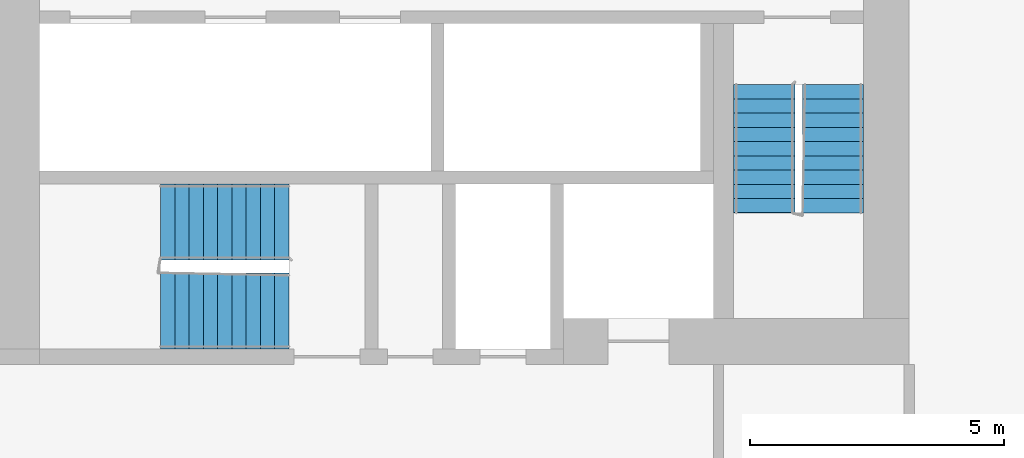
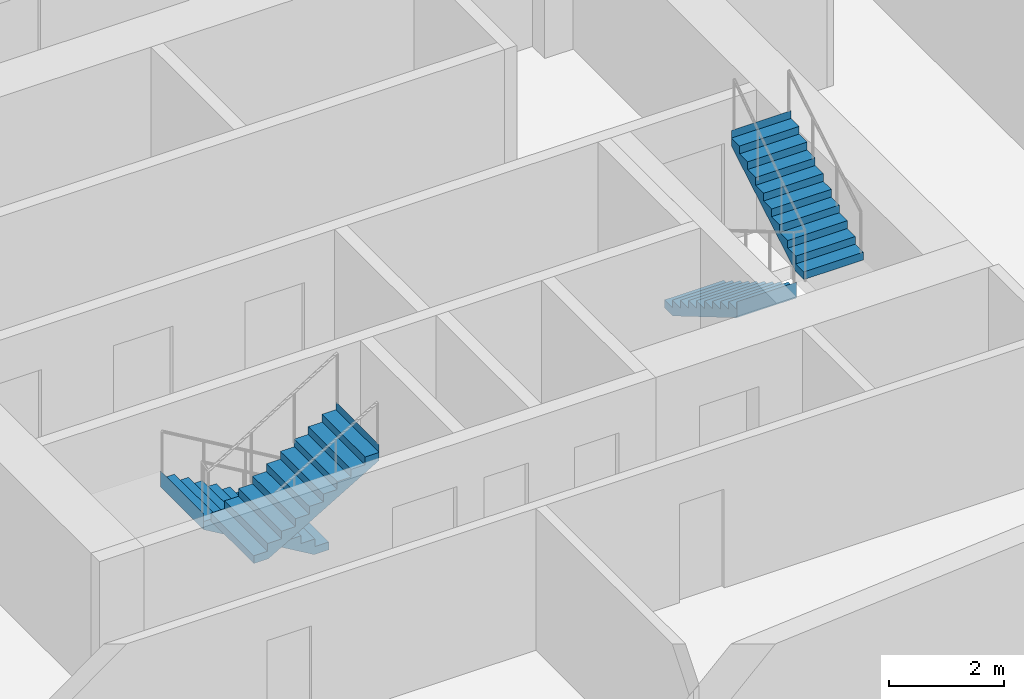
# One storey, part 9 of 12: 4 stair flights, 2 elements without a shape of their own.
"""IFC4 building model written with IfcOpenShell, lengths in metres."""

from ifc_helpers import new_model, si_unit, direction, frame, origin, place, context, subcontext, project, spatial, faceted_brep, material, type_object, element, aggregate, save


model = new_model("IFC4")

# Units and contexts
model_context = context("Model", 3, precision=1e-05, world=origin(), true_north=direction((0.0, 1.0)))
body_context = subcontext(model_context, "Body", "Model", "MODEL_VIEW")
ifc_project = project(units=[si_unit("LENGTHUNIT", "METRE"), si_unit("AREAUNIT", "SQUARE_METRE"), si_unit("VOLUMEUNIT", "CUBIC_METRE"), si_unit("PLANEANGLEUNIT", "RADIAN"), si_unit("MASSUNIT", "GRAM", prefix="KILO")], contexts=[model_context])

# Site, building, storey
site_placement = place(None, origin())
site = spatial("IfcSite", under=ifc_project, at=site_placement, CompositionType="ELEMENT")
building_placement = place(site_placement, origin())
building = spatial("IfcBuilding", under=site, at=building_placement, Name="Kajstack Hotel Tower", CompositionType="ELEMENT")
storey_placement = place(building_placement, frame((0.0, 0.0, 124.0)))
storey = spatial("IfcBuildingStorey", under=building, at=storey_placement, Name="L27", CompositionType="ELEMENT", Elevation=124.0)

# Stair, stair flights
ifc_material = material(Name="Concrete C40/50", Category="concrete")
stair_type_1 = type_object("IfcStairType", Name="Exit stair 1200", PredefinedType="HALF_TURN_STAIR", material=ifc_material)
stair_1_placement = place(storey_placement, origin())
stair_1 = element("IfcStair", 1, at=stair_1_placement, inside=storey, type_object=stair_type_1, Name="L27 stair W2", PredefinedType="HALF_TURN_STAIR")
stair_flight_type_1 = type_object("IfcStairFlightType", Name="Exit stair flight 1200", PredefinedType="STRAIGHT", material=ifc_material)
stair_flight_1_placement = place(storey_placement, frame((-16.35009765625, -10.0, 0.0), z_axis=(0.0, 0.0, 1.0), x_axis=(0.0, -1.0, 0.0)))
stair_flight_1 = element("IfcStairFlight", 2, at=stair_flight_1_placement, type_object=stair_flight_type_1, Name="W2 flight 1", NumberOfRisers=10, NumberOfTreads=9, PredefinedType="STRAIGHT", RiserHeight=0.165, TreadLength=0.28, context=body_context, shape_type="Brep", body=[
    faceted_brep([(0.295654296875, -0.60009765625, 0.0), (2.5205078125, -0.60009765625, 1.31103515625), (2.5205078125, -0.60009765625, 1.64990234375), (2.52001953125, -0.60009765625, 1.64990234375), (2.52001953125, -0.60009765625, 1.485107421875), (2.239990234375, -0.60009765625, 1.485107421875), (2.239990234375, -0.60009765625, 1.320068359375), (1.9599609375, -0.60009765625, 1.320068359375), (1.9599609375, -0.60009765625, 1.155029296875), (1.679931640625, -0.60009765625, 1.155029296875), (1.679931640625, -0.60009765625, 0.989990234375), (1.39990234375, -0.60009765625, 0.989990234375), (1.39990234375, -0.60009765625, 0.824951171875), (1.1201171875, -0.60009765625, 0.824951171875), (1.1201171875, -0.60009765625, 0.659912109375), (0.840087890625, -0.60009765625, 0.659912109375), (0.840087890625, -0.60009765625, 0.4951171875), (0.56005859375, -0.60009765625, 0.4951171875), (0.56005859375, -0.60009765625, 0.330078125), (0.280029296875, -0.60009765625, 0.330078125), (0.280029296875, -0.60009765625, 0.1650390625), (-0.00048828125, -0.60009765625, 0.1650390625), (-0.00048828125, -0.60009765625, 0.0), (-0.00048828125, 0.60009765625, 0.0), (-0.00048828125, 0.60009765625, 0.1650390625), (0.280029296875, 0.60009765625, 0.1650390625), (0.280029296875, 0.60009765625, 0.330078125), (0.56005859375, 0.60009765625, 0.330078125), (0.56005859375, 0.60009765625, 0.4951171875), (0.840087890625, 0.60009765625, 0.4951171875), (0.840087890625, 0.60009765625, 0.659912109375), (1.1201171875, 0.60009765625, 0.659912109375), (1.1201171875, 0.60009765625, 0.824951171875), (1.39990234375, 0.60009765625, 0.824951171875), (1.39990234375, 0.60009765625, 0.989990234375), (1.679931640625, 0.60009765625, 0.989990234375), (1.679931640625, 0.60009765625, 1.155029296875), (1.9599609375, 0.60009765625, 1.155029296875), (1.9599609375, 0.60009765625, 1.320068359375), (2.239990234375, 0.60009765625, 1.320068359375), (2.239990234375, 0.60009765625, 1.485107421875), (2.52001953125, 0.60009765625, 1.485107421875), (2.52001953125, 0.60009765625, 1.64990234375), (2.5205078125, 0.60009765625, 1.64990234375), (2.5205078125, 0.60009765625, 1.31103515625), (0.295654296875, 0.60009765625, 0.0), (-0.00048828125, -0.300048828125, 0.1650390625), (-0.00048828125, 0.0, 0.1650390625), (-0.00048828125, 0.300048828125, 0.1650390625), (-0.00048828125, 0.300048828125, 0.0), (-0.00048828125, 0.0, 0.0), (-0.00048828125, -0.300048828125, 0.0), (0.280029296875, -0.300048828125, 0.1650390625), (0.280029296875, 0.0, 0.1650390625), (0.280029296875, 0.300048828125, 0.1650390625), (0.280029296875, -0.300048828125, 0.330078125), (0.280029296875, 0.0, 0.330078125), (0.280029296875, 0.300048828125, 0.330078125), (0.56005859375, -0.300048828125, 0.330078125), (0.56005859375, 0.0, 0.330078125), (0.56005859375, 0.300048828125, 0.330078125), (0.56005859375, -0.300048828125, 0.4951171875), (0.56005859375, 0.0, 0.4951171875), (0.56005859375, 0.300048828125, 0.4951171875), (0.840087890625, -0.300048828125, 0.4951171875), (0.840087890625, 0.0, 0.4951171875), (0.840087890625, 0.300048828125, 0.4951171875), (0.840087890625, -0.300048828125, 0.659912109375), (0.840087890625, 0.0, 0.659912109375), (0.840087890625, 0.300048828125, 0.659912109375), (1.1201171875, -0.300048828125, 0.659912109375), (1.1201171875, 0.0, 0.659912109375), (1.1201171875, 0.300048828125, 0.659912109375), (1.1201171875, -0.300048828125, 0.824951171875), (1.1201171875, 0.0, 0.824951171875), (1.1201171875, 0.300048828125, 0.824951171875), (1.39990234375, -0.300048828125, 0.824951171875), (1.39990234375, 0.0, 0.824951171875), (1.39990234375, 0.300048828125, 0.824951171875), (1.39990234375, -0.300048828125, 0.989990234375), (1.39990234375, 0.0, 0.989990234375), (1.39990234375, 0.300048828125, 0.989990234375), (1.679931640625, -0.300048828125, 0.989990234375), (1.679931640625, 0.0, 0.989990234375), (1.679931640625, 0.300048828125, 0.989990234375), (1.679931640625, -0.300048828125, 1.155029296875), (1.679931640625, 0.0, 1.155029296875), (1.679931640625, 0.300048828125, 1.155029296875), (1.9599609375, -0.300048828125, 1.155029296875), (1.9599609375, 0.0, 1.155029296875), (1.9599609375, 0.300048828125, 1.155029296875), (1.9599609375, -0.300048828125, 1.320068359375), (1.9599609375, 0.0, 1.320068359375), (1.9599609375, 0.300048828125, 1.320068359375), (2.239990234375, -0.300048828125, 1.320068359375), (2.239990234375, 0.0, 1.320068359375), (2.239990234375, 0.300048828125, 1.320068359375), (2.239990234375, -0.300048828125, 1.485107421875), (2.239990234375, 0.0, 1.485107421875), (2.239990234375, 0.300048828125, 1.485107421875), (2.52001953125, -0.300048828125, 1.485107421875), (2.52001953125, 0.0, 1.485107421875), (2.52001953125, 0.300048828125, 1.485107421875), (2.52001953125, -0.300048828125, 1.64990234375), (2.52001953125, 0.0, 1.64990234375), (2.52001953125, 0.300048828125, 1.64990234375), (2.5205078125, -0.300048828125, 1.64990234375), (2.5205078125, 0.0, 1.64990234375), (2.5205078125, 0.300048828125, 1.64990234375), (2.5205078125, -0.300048828125, 1.31103515625), (2.5205078125, 0.0, 1.31103515625), (2.5205078125, 0.300048828125, 1.31103515625), (0.295654296875, -0.300048828125, 0.0), (0.295654296875, 0.0, 0.0), (0.295654296875, 0.300048828125, 0.0)], [[[0, 1, 2, 3, 4, 5, 6, 7, 8, 9, 10, 11, 12, 13, 14, 15, 16, 17, 18, 19, 20, 21, 22]], [[23, 24, 25, 26, 27, 28, 29, 30, 31, 32, 33, 34, 35, 36, 37, 38, 39, 40, 41, 42, 43, 44, 45]], [[21, 46, 47, 48, 24, 23, 49, 50, 51, 22]], [[20, 52, 53, 54, 25, 24, 48, 47, 46, 21]], [[19, 55, 56, 57, 26, 25, 54, 53, 52, 20]], [[18, 58, 59, 60, 27, 26, 57, 56, 55, 19]], [[17, 61, 62, 63, 28, 27, 60, 59, 58, 18]], [[16, 64, 65, 66, 29, 28, 63, 62, 61, 17]], [[15, 67, 68, 69, 30, 29, 66, 65, 64, 16]], [[14, 70, 71, 72, 31, 30, 69, 68, 67, 15]], [[13, 73, 74, 75, 32, 31, 72, 71, 70, 14]], [[12, 76, 77, 78, 33, 32, 75, 74, 73, 13]], [[11, 79, 80, 81, 34, 33, 78, 77, 76, 12]], [[10, 82, 83, 84, 35, 34, 81, 80, 79, 11]], [[9, 85, 86, 87, 36, 35, 84, 83, 82, 10]], [[8, 88, 89, 90, 37, 36, 87, 86, 85, 9]], [[7, 91, 92, 93, 38, 37, 90, 89, 88, 8]], [[6, 94, 95, 96, 39, 38, 93, 92, 91, 7]], [[5, 97, 98, 99, 40, 39, 96, 95, 94, 6]], [[4, 100, 101, 102, 41, 40, 99, 98, 97, 5]], [[3, 103, 104, 105, 42, 41, 102, 101, 100, 4]], [[2, 106, 107, 108, 43, 42, 105, 104, 103, 3]], [[1, 109, 110, 111, 44, 43, 108, 107, 106, 2]], [[0, 112, 113, 114, 45, 44, 111, 110, 109, 1]], [[22, 51, 50, 49, 23, 45, 114, 113, 112, 0]]]),
])
stair_flight_2_placement = place(storey_placement, frame((-15.0, -12.52001953125, 1.64990234375), z_axis=(0.0, 0.0, 1.0), x_axis=(0.0, 1.0, 0.0)))
stair_flight_2 = element("IfcStairFlight", 3, at=stair_flight_2_placement, type_object=stair_flight_type_1, Name="W2 flight 2", NumberOfRisers=10, NumberOfTreads=9, PredefinedType="STRAIGHT", RiserHeight=0.165, TreadLength=0.28, context=body_context, shape_type="Brep", body=[
    faceted_brep([(0.295654296875, -0.60009765625, 0.0), (2.5205078125, -0.60009765625, 1.31103515625), (2.5205078125, -0.60009765625, 1.64990234375), (2.52001953125, -0.60009765625, 1.64990234375), (2.52001953125, -0.60009765625, 1.485107421875), (2.239990234375, -0.60009765625, 1.485107421875), (2.239990234375, -0.60009765625, 1.320068359375), (1.9599609375, -0.60009765625, 1.320068359375), (1.9599609375, -0.60009765625, 1.155029296875), (1.679931640625, -0.60009765625, 1.155029296875), (1.679931640625, -0.60009765625, 0.989990234375), (1.39990234375, -0.60009765625, 0.989990234375), (1.39990234375, -0.60009765625, 0.824951171875), (1.1201171875, -0.60009765625, 0.824951171875), (1.1201171875, -0.60009765625, 0.659912109375), (0.840087890625, -0.60009765625, 0.659912109375), (0.840087890625, -0.60009765625, 0.4951171875), (0.56005859375, -0.60009765625, 0.4951171875), (0.56005859375, -0.60009765625, 0.330078125), (0.280029296875, -0.60009765625, 0.330078125), (0.280029296875, -0.60009765625, 0.1650390625), (-0.00048828125, -0.60009765625, 0.1650390625), (-0.00048828125, -0.60009765625, 0.0), (-0.00048828125, 0.60009765625, 0.0), (-0.00048828125, 0.60009765625, 0.1650390625), (0.280029296875, 0.60009765625, 0.1650390625), (0.280029296875, 0.60009765625, 0.330078125), (0.56005859375, 0.60009765625, 0.330078125), (0.56005859375, 0.60009765625, 0.4951171875), (0.840087890625, 0.60009765625, 0.4951171875), (0.840087890625, 0.60009765625, 0.659912109375), (1.1201171875, 0.60009765625, 0.659912109375), (1.1201171875, 0.60009765625, 0.824951171875), (1.39990234375, 0.60009765625, 0.824951171875), (1.39990234375, 0.60009765625, 0.989990234375), (1.679931640625, 0.60009765625, 0.989990234375), (1.679931640625, 0.60009765625, 1.155029296875), (1.9599609375, 0.60009765625, 1.155029296875), (1.9599609375, 0.60009765625, 1.320068359375), (2.239990234375, 0.60009765625, 1.320068359375), (2.239990234375, 0.60009765625, 1.485107421875), (2.52001953125, 0.60009765625, 1.485107421875), (2.52001953125, 0.60009765625, 1.64990234375), (2.5205078125, 0.60009765625, 1.64990234375), (2.5205078125, 0.60009765625, 1.31103515625), (0.295654296875, 0.60009765625, 0.0), (-0.00048828125, -0.300048828125, 0.1650390625), (-0.00048828125, 0.0, 0.1650390625), (-0.00048828125, 0.300048828125, 0.1650390625), (-0.00048828125, 0.300048828125, 0.0), (-0.00048828125, 0.0, 0.0), (-0.00048828125, -0.300048828125, 0.0), (0.280029296875, -0.300048828125, 0.1650390625), (0.280029296875, 0.0, 0.1650390625), (0.280029296875, 0.300048828125, 0.1650390625), (0.280029296875, -0.300048828125, 0.330078125), (0.280029296875, 0.0, 0.330078125), (0.280029296875, 0.300048828125, 0.330078125), (0.56005859375, -0.300048828125, 0.330078125), (0.56005859375, 0.0, 0.330078125), (0.56005859375, 0.300048828125, 0.330078125), (0.56005859375, -0.300048828125, 0.4951171875), (0.56005859375, 0.0, 0.4951171875), (0.56005859375, 0.300048828125, 0.4951171875), (0.840087890625, -0.300048828125, 0.4951171875), (0.840087890625, 0.0, 0.4951171875), (0.840087890625, 0.300048828125, 0.4951171875), (0.840087890625, -0.300048828125, 0.659912109375), (0.840087890625, 0.0, 0.659912109375), (0.840087890625, 0.300048828125, 0.659912109375), (1.1201171875, -0.300048828125, 0.659912109375), (1.1201171875, 0.0, 0.659912109375), (1.1201171875, 0.300048828125, 0.659912109375), (1.1201171875, -0.300048828125, 0.824951171875), (1.1201171875, 0.0, 0.824951171875), (1.1201171875, 0.300048828125, 0.824951171875), (1.39990234375, -0.300048828125, 0.824951171875), (1.39990234375, 0.0, 0.824951171875), (1.39990234375, 0.300048828125, 0.824951171875), (1.39990234375, -0.300048828125, 0.989990234375), (1.39990234375, 0.0, 0.989990234375), (1.39990234375, 0.300048828125, 0.989990234375), (1.679931640625, -0.300048828125, 0.989990234375), (1.679931640625, 0.0, 0.989990234375), (1.679931640625, 0.300048828125, 0.989990234375), (1.679931640625, -0.300048828125, 1.155029296875), (1.679931640625, 0.0, 1.155029296875), (1.679931640625, 0.300048828125, 1.155029296875), (1.9599609375, -0.300048828125, 1.155029296875), (1.9599609375, 0.0, 1.155029296875), (1.9599609375, 0.300048828125, 1.155029296875), (1.9599609375, -0.300048828125, 1.320068359375), (1.9599609375, 0.0, 1.320068359375), (1.9599609375, 0.300048828125, 1.320068359375), (2.239990234375, -0.300048828125, 1.320068359375), (2.239990234375, 0.0, 1.320068359375), (2.239990234375, 0.300048828125, 1.320068359375), (2.239990234375, -0.300048828125, 1.485107421875), (2.239990234375, 0.0, 1.485107421875), (2.239990234375, 0.300048828125, 1.485107421875), (2.52001953125, -0.300048828125, 1.485107421875), (2.52001953125, 0.0, 1.485107421875), (2.52001953125, 0.300048828125, 1.485107421875), (2.52001953125, -0.300048828125, 1.64990234375), (2.52001953125, 0.0, 1.64990234375), (2.52001953125, 0.300048828125, 1.64990234375), (2.5205078125, -0.300048828125, 1.64990234375), (2.5205078125, 0.0, 1.64990234375), (2.5205078125, 0.300048828125, 1.64990234375), (2.5205078125, -0.300048828125, 1.31103515625), (2.5205078125, 0.0, 1.31103515625), (2.5205078125, 0.300048828125, 1.31103515625), (0.295654296875, -0.300048828125, 0.0), (0.295654296875, 0.0, 0.0), (0.295654296875, 0.300048828125, 0.0)], [[[0, 1, 2, 3, 4, 5, 6, 7, 8, 9, 10, 11, 12, 13, 14, 15, 16, 17, 18, 19, 20, 21, 22]], [[23, 24, 25, 26, 27, 28, 29, 30, 31, 32, 33, 34, 35, 36, 37, 38, 39, 40, 41, 42, 43, 44, 45]], [[21, 46, 47, 48, 24, 23, 49, 50, 51, 22]], [[20, 52, 53, 54, 25, 24, 48, 47, 46, 21]], [[19, 55, 56, 57, 26, 25, 54, 53, 52, 20]], [[18, 58, 59, 60, 27, 26, 57, 56, 55, 19]], [[17, 61, 62, 63, 28, 27, 60, 59, 58, 18]], [[16, 64, 65, 66, 29, 28, 63, 62, 61, 17]], [[15, 67, 68, 69, 30, 29, 66, 65, 64, 16]], [[14, 70, 71, 72, 31, 30, 69, 68, 67, 15]], [[13, 73, 74, 75, 32, 31, 72, 71, 70, 14]], [[12, 76, 77, 78, 33, 32, 75, 74, 73, 13]], [[11, 79, 80, 81, 34, 33, 78, 77, 76, 12]], [[10, 82, 83, 84, 35, 34, 81, 80, 79, 11]], [[9, 85, 86, 87, 36, 35, 84, 83, 82, 10]], [[8, 88, 89, 90, 37, 36, 87, 86, 85, 9]], [[7, 91, 92, 93, 38, 37, 90, 89, 88, 8]], [[6, 94, 95, 96, 39, 38, 93, 92, 91, 7]], [[5, 97, 98, 99, 40, 39, 96, 95, 94, 6]], [[4, 100, 101, 102, 41, 40, 99, 98, 97, 5]], [[3, 103, 104, 105, 42, 41, 102, 101, 100, 4]], [[2, 106, 107, 108, 43, 42, 105, 104, 103, 3]], [[1, 109, 110, 111, 44, 43, 108, 107, 106, 2]], [[0, 112, 113, 114, 45, 44, 111, 110, 109, 1]], [[22, 51, 50, 49, 23, 45, 114, 113, 112, 0]]]),
])
aggregate(stair_1, [stair_flight_1, stair_flight_2])

stair_type_2 = type_object("IfcStairType", Name="Exit stair 1500", PredefinedType="HALF_TURN_STAIR", material=ifc_material)
stair_2_placement = place(storey_placement, origin())
stair_2 = element("IfcStair", 4, at=stair_2_placement, inside=storey, type_object=stair_type_2, Name="L27 stair W3", PredefinedType="HALF_TURN_STAIR")
stair_flight_type_2 = type_object("IfcStairFlightType", Name="Exit stair flight 1500", PredefinedType="STRAIGHT", material=ifc_material)
stair_flight_3_placement = place(storey_placement, frame((-25.699951171875, -12.699951171875, 0.0), z_axis=(0.0, 0.0, 1.0), x_axis=(-1.0, 0.0, 0.0)))
stair_flight_3 = element("IfcStairFlight", 5, at=stair_flight_3_placement, type_object=stair_flight_type_2, Name="W3 flight 1", NumberOfRisers=10, NumberOfTreads=9, PredefinedType="STRAIGHT", RiserHeight=0.165, TreadLength=0.28, context=body_context, shape_type="Brep", body=[
    faceted_brep([(0.295654296875, -0.75, 0.0), (2.5205078125, -0.75, 1.31103515625), (2.5205078125, -0.75, 1.64990234375), (2.52001953125, -0.75, 1.64990234375), (2.52001953125, -0.75, 1.485107421875), (2.239990234375, -0.75, 1.485107421875), (2.239990234375, -0.75, 1.320068359375), (1.9599609375, -0.75, 1.320068359375), (1.9599609375, -0.75, 1.155029296875), (1.679931640625, -0.75, 1.155029296875), (1.679931640625, -0.75, 0.989990234375), (1.39990234375, -0.75, 0.989990234375), (1.39990234375, -0.75, 0.824951171875), (1.1201171875, -0.75, 0.824951171875), (1.1201171875, -0.75, 0.659912109375), (0.840087890625, -0.75, 0.659912109375), (0.840087890625, -0.75, 0.4951171875), (0.56005859375, -0.75, 0.4951171875), (0.56005859375, -0.75, 0.330078125), (0.280029296875, -0.75, 0.330078125), (0.280029296875, -0.75, 0.1650390625), (-0.00048828125, -0.75, 0.1650390625), (-0.00048828125, -0.75, 0.0), (-0.00048828125, 0.75, 0.0), (-0.00048828125, 0.75, 0.1650390625), (0.280029296875, 0.75, 0.1650390625), (0.280029296875, 0.75, 0.330078125), (0.56005859375, 0.75, 0.330078125), (0.56005859375, 0.75, 0.4951171875), (0.840087890625, 0.75, 0.4951171875), (0.840087890625, 0.75, 0.659912109375), (1.1201171875, 0.75, 0.659912109375), (1.1201171875, 0.75, 0.824951171875), (1.39990234375, 0.75, 0.824951171875), (1.39990234375, 0.75, 0.989990234375), (1.679931640625, 0.75, 0.989990234375), (1.679931640625, 0.75, 1.155029296875), (1.9599609375, 0.75, 1.155029296875), (1.9599609375, 0.75, 1.320068359375), (2.239990234375, 0.75, 1.320068359375), (2.239990234375, 0.75, 1.485107421875), (2.52001953125, 0.75, 1.485107421875), (2.52001953125, 0.75, 1.64990234375), (2.5205078125, 0.75, 1.64990234375), (2.5205078125, 0.75, 1.31103515625), (0.295654296875, 0.75, 0.0), (-0.00048828125, -0.375, 0.1650390625), (-0.00048828125, 0.0, 0.1650390625), (-0.00048828125, 0.375, 0.1650390625), (-0.00048828125, 0.375, 0.0), (-0.00048828125, 0.0, 0.0), (-0.00048828125, -0.375, 0.0), (0.280029296875, -0.375, 0.1650390625), (0.280029296875, 0.0, 0.1650390625), (0.280029296875, 0.375, 0.1650390625), (0.280029296875, -0.375, 0.330078125), (0.280029296875, 0.0, 0.330078125), (0.280029296875, 0.375, 0.330078125), (0.56005859375, -0.375, 0.330078125), (0.56005859375, 0.0, 0.330078125), (0.56005859375, 0.375, 0.330078125), (0.56005859375, -0.375, 0.4951171875), (0.56005859375, 0.0, 0.4951171875), (0.56005859375, 0.375, 0.4951171875), (0.840087890625, -0.375, 0.4951171875), (0.840087890625, 0.0, 0.4951171875), (0.840087890625, 0.375, 0.4951171875), (0.840087890625, -0.375, 0.659912109375), (0.840087890625, 0.0, 0.659912109375), (0.840087890625, 0.375, 0.659912109375), (1.1201171875, -0.375, 0.659912109375), (1.1201171875, 0.0, 0.659912109375), (1.1201171875, 0.375, 0.659912109375), (1.1201171875, -0.375, 0.824951171875), (1.1201171875, 0.0, 0.824951171875), (1.1201171875, 0.375, 0.824951171875), (1.39990234375, -0.375, 0.824951171875), (1.39990234375, 0.0, 0.824951171875), (1.39990234375, 0.375, 0.824951171875), (1.39990234375, -0.375, 0.989990234375), (1.39990234375, 0.0, 0.989990234375), (1.39990234375, 0.375, 0.989990234375), (1.679931640625, -0.375, 0.989990234375), (1.679931640625, 0.0, 0.989990234375), (1.679931640625, 0.375, 0.989990234375), (1.679931640625, -0.375, 1.155029296875), (1.679931640625, 0.0, 1.155029296875), (1.679931640625, 0.375, 1.155029296875), (1.9599609375, -0.375, 1.155029296875), (1.9599609375, 0.0, 1.155029296875), (1.9599609375, 0.375, 1.155029296875), (1.9599609375, -0.375, 1.320068359375), (1.9599609375, 0.0, 1.320068359375), (1.9599609375, 0.375, 1.320068359375), (2.239990234375, -0.375, 1.320068359375), (2.239990234375, 0.0, 1.320068359375), (2.239990234375, 0.375, 1.320068359375), (2.239990234375, -0.375, 1.485107421875), (2.239990234375, 0.0, 1.485107421875), (2.239990234375, 0.375, 1.485107421875), (2.52001953125, -0.375, 1.485107421875), (2.52001953125, 0.0, 1.485107421875), (2.52001953125, 0.375, 1.485107421875), (2.52001953125, -0.375, 1.64990234375), (2.52001953125, 0.0, 1.64990234375), (2.52001953125, 0.375, 1.64990234375), (2.5205078125, -0.375, 1.64990234375), (2.5205078125, 0.0, 1.64990234375), (2.5205078125, 0.375, 1.64990234375), (2.5205078125, -0.375, 1.31103515625), (2.5205078125, 0.0, 1.31103515625), (2.5205078125, 0.375, 1.31103515625), (0.295654296875, -0.375, 0.0), (0.295654296875, 0.0, 0.0), (0.295654296875, 0.375, 0.0)], [[[0, 1, 2, 3, 4, 5, 6, 7, 8, 9, 10, 11, 12, 13, 14, 15, 16, 17, 18, 19, 20, 21, 22]], [[23, 24, 25, 26, 27, 28, 29, 30, 31, 32, 33, 34, 35, 36, 37, 38, 39, 40, 41, 42, 43, 44, 45]], [[21, 46, 47, 48, 24, 23, 49, 50, 51, 22]], [[20, 52, 53, 54, 25, 24, 48, 47, 46, 21]], [[19, 55, 56, 57, 26, 25, 54, 53, 52, 20]], [[18, 58, 59, 60, 27, 26, 57, 56, 55, 19]], [[17, 61, 62, 63, 28, 27, 60, 59, 58, 18]], [[16, 64, 65, 66, 29, 28, 63, 62, 61, 17]], [[15, 67, 68, 69, 30, 29, 66, 65, 64, 16]], [[14, 70, 71, 72, 31, 30, 69, 68, 67, 15]], [[13, 73, 74, 75, 32, 31, 72, 71, 70, 14]], [[12, 76, 77, 78, 33, 32, 75, 74, 73, 13]], [[11, 79, 80, 81, 34, 33, 78, 77, 76, 12]], [[10, 82, 83, 84, 35, 34, 81, 80, 79, 11]], [[9, 85, 86, 87, 36, 35, 84, 83, 82, 10]], [[8, 88, 89, 90, 37, 36, 87, 86, 85, 9]], [[7, 91, 92, 93, 38, 37, 90, 89, 88, 8]], [[6, 94, 95, 96, 39, 38, 93, 92, 91, 7]], [[5, 97, 98, 99, 40, 39, 96, 95, 94, 6]], [[4, 100, 101, 102, 41, 40, 99, 98, 97, 5]], [[3, 103, 104, 105, 42, 41, 102, 101, 100, 4]], [[2, 106, 107, 108, 43, 42, 105, 104, 103, 3]], [[1, 109, 110, 111, 44, 43, 108, 107, 106, 2]], [[0, 112, 113, 114, 45, 44, 111, 110, 109, 1]], [[22, 51, 50, 49, 23, 45, 114, 113, 112, 0]]]),
])
stair_flight_4_placement = place(storey_placement, frame((-28.219970703125, -14.449951171875, 1.64990234375), z_axis=(0.0, 0.0, 1.0), x_axis=(1.0, 0.0, 0.0)))
stair_flight_4 = element("IfcStairFlight", 6, at=stair_flight_4_placement, type_object=stair_flight_type_2, Name="W3 flight 2", NumberOfRisers=10, NumberOfTreads=9, PredefinedType="STRAIGHT", RiserHeight=0.165, TreadLength=0.28, context=body_context, shape_type="Brep", body=[
    faceted_brep([(0.295654296875, -0.75, 0.0), (2.5205078125, -0.75, 1.31103515625), (2.5205078125, -0.75, 1.64990234375), (2.52001953125, -0.75, 1.64990234375), (2.52001953125, -0.75, 1.485107421875), (2.239990234375, -0.75, 1.485107421875), (2.239990234375, -0.75, 1.320068359375), (1.9599609375, -0.75, 1.320068359375), (1.9599609375, -0.75, 1.155029296875), (1.679931640625, -0.75, 1.155029296875), (1.679931640625, -0.75, 0.989990234375), (1.39990234375, -0.75, 0.989990234375), (1.39990234375, -0.75, 0.824951171875), (1.1201171875, -0.75, 0.824951171875), (1.1201171875, -0.75, 0.659912109375), (0.840087890625, -0.75, 0.659912109375), (0.840087890625, -0.75, 0.4951171875), (0.56005859375, -0.75, 0.4951171875), (0.56005859375, -0.75, 0.330078125), (0.280029296875, -0.75, 0.330078125), (0.280029296875, -0.75, 0.1650390625), (-0.00048828125, -0.75, 0.1650390625), (-0.00048828125, -0.75, 0.0), (-0.00048828125, 0.75, 0.0), (-0.00048828125, 0.75, 0.1650390625), (0.280029296875, 0.75, 0.1650390625), (0.280029296875, 0.75, 0.330078125), (0.56005859375, 0.75, 0.330078125), (0.56005859375, 0.75, 0.4951171875), (0.840087890625, 0.75, 0.4951171875), (0.840087890625, 0.75, 0.659912109375), (1.1201171875, 0.75, 0.659912109375), (1.1201171875, 0.75, 0.824951171875), (1.39990234375, 0.75, 0.824951171875), (1.39990234375, 0.75, 0.989990234375), (1.679931640625, 0.75, 0.989990234375), (1.679931640625, 0.75, 1.155029296875), (1.9599609375, 0.75, 1.155029296875), (1.9599609375, 0.75, 1.320068359375), (2.239990234375, 0.75, 1.320068359375), (2.239990234375, 0.75, 1.485107421875), (2.52001953125, 0.75, 1.485107421875), (2.52001953125, 0.75, 1.64990234375), (2.5205078125, 0.75, 1.64990234375), (2.5205078125, 0.75, 1.31103515625), (0.295654296875, 0.75, 0.0), (-0.00048828125, -0.375, 0.1650390625), (-0.00048828125, 0.0, 0.1650390625), (-0.00048828125, 0.375, 0.1650390625), (-0.00048828125, 0.375, 0.0), (-0.00048828125, 0.0, 0.0), (-0.00048828125, -0.375, 0.0), (0.280029296875, -0.375, 0.1650390625), (0.280029296875, 0.0, 0.1650390625), (0.280029296875, 0.375, 0.1650390625), (0.280029296875, -0.375, 0.330078125), (0.280029296875, 0.0, 0.330078125), (0.280029296875, 0.375, 0.330078125), (0.56005859375, -0.375, 0.330078125), (0.56005859375, 0.0, 0.330078125), (0.56005859375, 0.375, 0.330078125), (0.56005859375, -0.375, 0.4951171875), (0.56005859375, 0.0, 0.4951171875), (0.56005859375, 0.375, 0.4951171875), (0.840087890625, -0.375, 0.4951171875), (0.840087890625, 0.0, 0.4951171875), (0.840087890625, 0.375, 0.4951171875), (0.840087890625, -0.375, 0.659912109375), (0.840087890625, 0.0, 0.659912109375), (0.840087890625, 0.375, 0.659912109375), (1.1201171875, -0.375, 0.659912109375), (1.1201171875, 0.0, 0.659912109375), (1.1201171875, 0.375, 0.659912109375), (1.1201171875, -0.375, 0.824951171875), (1.1201171875, 0.0, 0.824951171875), (1.1201171875, 0.375, 0.824951171875), (1.39990234375, -0.375, 0.824951171875), (1.39990234375, 0.0, 0.824951171875), (1.39990234375, 0.375, 0.824951171875), (1.39990234375, -0.375, 0.989990234375), (1.39990234375, 0.0, 0.989990234375), (1.39990234375, 0.375, 0.989990234375), (1.679931640625, -0.375, 0.989990234375), (1.679931640625, 0.0, 0.989990234375), (1.679931640625, 0.375, 0.989990234375), (1.679931640625, -0.375, 1.155029296875), (1.679931640625, 0.0, 1.155029296875), (1.679931640625, 0.375, 1.155029296875), (1.9599609375, -0.375, 1.155029296875), (1.9599609375, 0.0, 1.155029296875), (1.9599609375, 0.375, 1.155029296875), (1.9599609375, -0.375, 1.320068359375), (1.9599609375, 0.0, 1.320068359375), (1.9599609375, 0.375, 1.320068359375), (2.239990234375, -0.375, 1.320068359375), (2.239990234375, 0.0, 1.320068359375), (2.239990234375, 0.375, 1.320068359375), (2.239990234375, -0.375, 1.485107421875), (2.239990234375, 0.0, 1.485107421875), (2.239990234375, 0.375, 1.485107421875), (2.52001953125, -0.375, 1.485107421875), (2.52001953125, 0.0, 1.485107421875), (2.52001953125, 0.375, 1.485107421875), (2.52001953125, -0.375, 1.64990234375), (2.52001953125, 0.0, 1.64990234375), (2.52001953125, 0.375, 1.64990234375), (2.5205078125, -0.375, 1.64990234375), (2.5205078125, 0.0, 1.64990234375), (2.5205078125, 0.375, 1.64990234375), (2.5205078125, -0.375, 1.31103515625), (2.5205078125, 0.0, 1.31103515625), (2.5205078125, 0.375, 1.31103515625), (0.295654296875, -0.375, 0.0), (0.295654296875, 0.0, 0.0), (0.295654296875, 0.375, 0.0)], [[[0, 1, 2, 3, 4, 5, 6, 7, 8, 9, 10, 11, 12, 13, 14, 15, 16, 17, 18, 19, 20, 21, 22]], [[23, 24, 25, 26, 27, 28, 29, 30, 31, 32, 33, 34, 35, 36, 37, 38, 39, 40, 41, 42, 43, 44, 45]], [[21, 46, 47, 48, 24, 23, 49, 50, 51, 22]], [[20, 52, 53, 54, 25, 24, 48, 47, 46, 21]], [[19, 55, 56, 57, 26, 25, 54, 53, 52, 20]], [[18, 58, 59, 60, 27, 26, 57, 56, 55, 19]], [[17, 61, 62, 63, 28, 27, 60, 59, 58, 18]], [[16, 64, 65, 66, 29, 28, 63, 62, 61, 17]], [[15, 67, 68, 69, 30, 29, 66, 65, 64, 16]], [[14, 70, 71, 72, 31, 30, 69, 68, 67, 15]], [[13, 73, 74, 75, 32, 31, 72, 71, 70, 14]], [[12, 76, 77, 78, 33, 32, 75, 74, 73, 13]], [[11, 79, 80, 81, 34, 33, 78, 77, 76, 12]], [[10, 82, 83, 84, 35, 34, 81, 80, 79, 11]], [[9, 85, 86, 87, 36, 35, 84, 83, 82, 10]], [[8, 88, 89, 90, 37, 36, 87, 86, 85, 9]], [[7, 91, 92, 93, 38, 37, 90, 89, 88, 8]], [[6, 94, 95, 96, 39, 38, 93, 92, 91, 7]], [[5, 97, 98, 99, 40, 39, 96, 95, 94, 6]], [[4, 100, 101, 102, 41, 40, 99, 98, 97, 5]], [[3, 103, 104, 105, 42, 41, 102, 101, 100, 4]], [[2, 106, 107, 108, 43, 42, 105, 104, 103, 3]], [[1, 109, 110, 111, 44, 43, 108, 107, 106, 2]], [[0, 112, 113, 114, 45, 44, 111, 110, 109, 1]], [[22, 51, 50, 49, 23, 45, 114, 113, 112, 0]]]),
])
aggregate(stair_2, [stair_flight_3, stair_flight_4])

save(model, "model.ifc")
